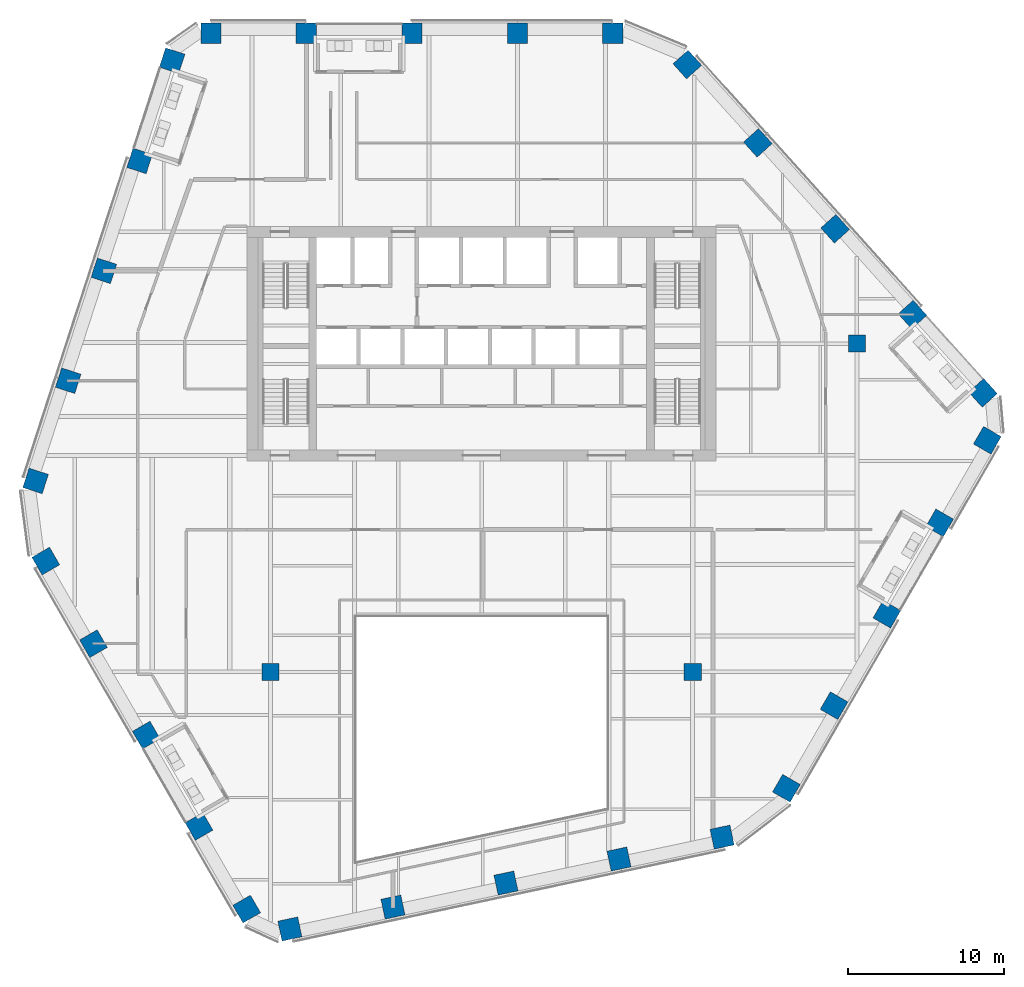
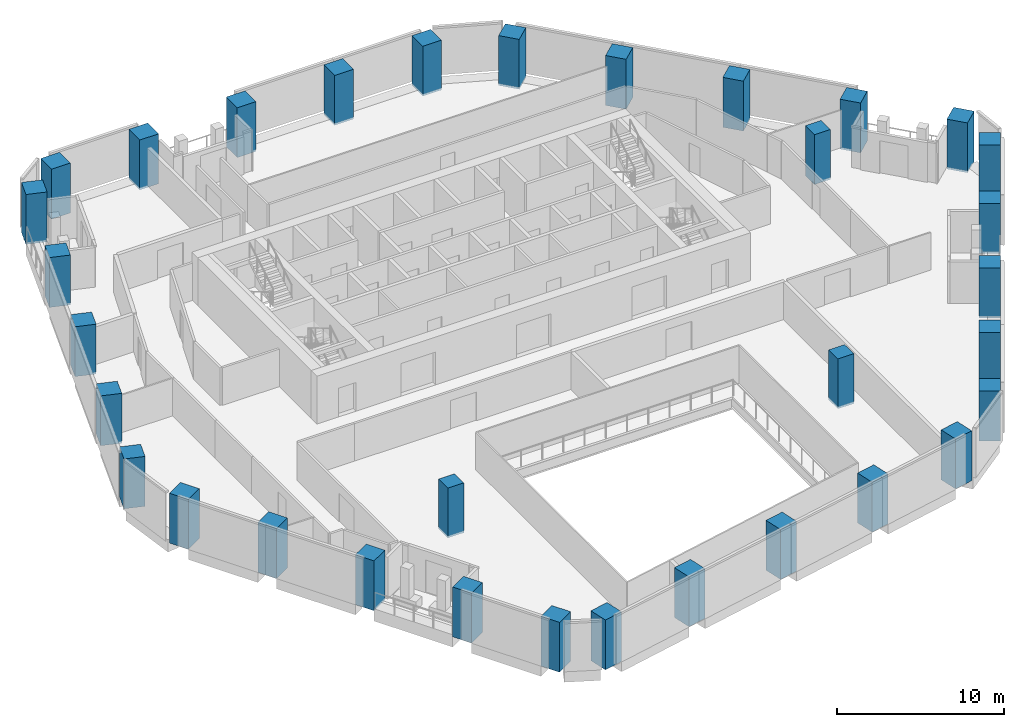
# One storey, part 1 of 26: 33 columns.
"""IFC4 building model written with IfcOpenShell, lengths in metres."""

from ifc_helpers import new_model, si_unit, direction, frame, origin, origin_2d, place, context, subcontext, project, spatial, rectangle, extrude, material, material_profile, profile_set, type_object, element, save


model = new_model("IFC4")

# Units and contexts
model_context = context("Model", 3, precision=1e-05, world=origin(), true_north=direction((0.0, 1.0)))
body_context = subcontext(model_context, "Body", "Model", "MODEL_VIEW")
ifc_project = project(units=[si_unit("LENGTHUNIT", "METRE"), si_unit("AREAUNIT", "SQUARE_METRE"), si_unit("VOLUMEUNIT", "CUBIC_METRE"), si_unit("PLANEANGLEUNIT", "RADIAN"), si_unit("MASSUNIT", "GRAM", prefix="KILO")], contexts=[model_context])

# Site, building, storey
site_placement = place(None, origin())
site = spatial("IfcSite", under=ifc_project, at=site_placement, CompositionType="ELEMENT")
building_placement = place(site_placement, origin())
building = spatial("IfcBuilding", under=site, at=building_placement, Name="Isthmus Gate Tower", CompositionType="ELEMENT")
storey_placement = place(building_placement, frame((0.0, 0.0, 189.050048828125)))
storey = spatial("IfcBuildingStorey", under=building, at=storey_placement, Name="L47", CompositionType="ELEMENT", Elevation=189.050048828125)

# Columns
ifc_material_1 = material(Name="Concrete f'c 60 MPa", Category="concrete")
ifc_material_profile_1 = material_profile(ifc_material_1, rectangle(XDim=1.10009765625, YDim=1.10009765625, at=origin_2d()), Name="RC 1100X1100")
ifc_profile_set_1 = profile_set([ifc_material_profile_1], Name="Concrete f'c 60 MPa")
column_type_1 = type_object("IfcColumnType", Name="RC INTERIOR COLUMN 1100 X 1100", PredefinedType="COLUMN", material=ifc_profile_set_1)
for number, where, z_axis, x_axis, name in (
    (1, (-13.5, -13.5, -0.150146484375), (0.0, 0.0, 1.0), (1.0, 0.0, 0.0), "str-icol-L47-ICB2"),
    (2, (13.5, -13.5, -0.150146484375), (0.0, 0.0, 1.0), (1.0, 0.0, 0.0), "str-icol-L47-ICD2"),
    (3, (24.0, 7.5, -0.150146484375), (0.0, 0.0, 1.0), (1.0, 0.0, 0.0), "str-icol-L47-ICE3"),
):
    element("IfcColumn", number, at=place(storey_placement, frame(where, z_axis=z_axis, x_axis=x_axis)), inside=storey, type_object=column_type_1, Name=name, PredefinedType="COLUMN", context=body_context, shape_type="SweptSolid", body=[
        extrude(rectangle(XDim=1.10009765625, YDim=1.10009765625, at=origin_2d()), origin(), (0.0, 0.0, 1.0), 3.650146484375),
    ])
ifc_material_2 = material(Name="Concrete f'c 60 MPa", Category="concrete")
ifc_material_profile_2 = material_profile(ifc_material_2, rectangle(XDim=1.300048828125, YDim=1.300048828125, at=origin_2d()), Name="RC 1300X1300")
ifc_profile_set_2 = profile_set([ifc_material_profile_2], Name="Concrete f'c 60 MPa")
column_type_2 = type_object("IfcColumnType", Name="RC TUBE COLUMN 1300 X 1300", PredefinedType="COLUMN", material=ifc_profile_set_2)
for number, where, z_axis, x_axis, name in (
    (4, (8.388671875, 27.35009765625, -0.150146484375), (0.0, 0.0, 1.0), (-1.0, 0.0, 0.0), "str-tcol-L47-T2N0"),
    (5, (2.288330078125, 27.35009765625, -0.150146484375), (0.0, 0.0, 1.0), (-1.0, 0.0, 0.0), "str-tcol-L47-T2N1"),
    (6, (-4.461669921875, 27.35009765625, -0.150146484375), (0.0, 0.0, 1.0), (-1.0, 0.0, 0.0), "str-tcol-L47-T2N2"),
    (7, (-11.2119140625, 27.35009765625, -0.150146484375), (0.0, 0.0, 1.0), (-1.0, 0.0, 0.0), "str-tcol-L47-T2N3"),
    (8, (-17.31201171875, 27.35009765625, -0.150146484375), (0.0, 0.0, 1.0), (-1.0, 0.0, 0.0), "str-tcol-L47-T2N4"),
    (9, (-19.797607421875, 25.595947265625, -0.150146484375), (0.0, 0.0, 1.0), (-0.309016994375, -0.951056516295, 0.0), "str-tcol-L47-T2NW0"),
    (10, (-21.880615234375, 19.18505859375, -0.150146484375), (0.0, 0.0, 1.0), (-0.309016994375, -0.951056516295, 0.0), "str-tcol-L47-T2NW1"),
    (11, (-24.164306640625, 12.156005859375, -0.150146484375), (0.0, 0.0, 1.0), (-0.309016994375, -0.951056516295, 0.0), "str-tcol-L47-T2NW2"),
    (12, (-26.4482421875, 5.126953125, -0.150146484375), (0.0, 0.0, 1.0), (-0.309016994375, -0.951056516295, 0.0), "str-tcol-L47-T2NW3"),
    (13, (-28.53125, -1.283935546875, -0.150146484375), (0.0, 0.0, 1.0), (-0.309016994375, -0.951056516295, 0.0), "str-tcol-L47-T2NW4"),
    (14, (-27.880126953125, -6.410400390625, -0.150146484375), (0.0, 0.0, 1.0), (0.5, -0.866025403784, 0.0), "str-tcol-L47-T2SW0"),
    (15, (-24.830078125, -11.693115234375, -0.150146484375), (0.0, 0.0, 1.0), (0.5, -0.866025403784, 0.0), "str-tcol-L47-T2SW1"),
    (16, (-21.454833984375, -17.5390625, -0.150146484375), (0.0, 0.0, 1.0), (0.5, -0.866025403784, 0.0), "str-tcol-L47-T2SW2"),
    (17, (-18.079833984375, -23.384765625, -0.150146484375), (0.0, 0.0, 1.0), (0.5, -0.866025403784, 0.0), "str-tcol-L47-T2SW3"),
    (18, (-15.02978515625, -28.667724609375, -0.150146484375), (0.0, 0.0, 1.0), (0.5, -0.866025403784, 0.0), "str-tcol-L47-T2SW4"),
    (19, (-12.267822265625, -29.943115234375, -0.150146484375), (0.0, 0.0, 1.0), (0.978147600734, 0.207911690818, 0.0), "str-tcol-L47-T2S0"),
    (20, (-5.674560546875, -28.54150390625, -0.150146484375), (0.0, 0.0, 1.0), (0.978147600734, 0.207911690818, 0.0), "str-tcol-L47-T2S1"),
    (21, (1.554931640625, -27.0048828125, -0.150146484375), (0.0, 0.0, 1.0), (0.978147600734, 0.207911690818, 0.0), "str-tcol-L47-T2S2"),
    (22, (8.7841796875, -25.46826171875, -0.150146484375), (0.0, 0.0, 1.0), (0.978147600734, 0.207911690818, 0.0), "str-tcol-L47-T2S3"),
    (23, (15.377685546875, -24.06689453125, -0.150146484375), (0.0, 0.0, 1.0), (0.978147600734, 0.207911690818, 0.0), "str-tcol-L47-T2S4"),
    (24, (19.491455078125, -20.939697265625, -0.150146484375), (0.0, 0.0, 1.0), (0.5, 0.866025403784, 0.0), "str-tcol-L47-T2SE0"),
    (25, (22.54150390625, -15.65673828125, -0.150146484375), (0.0, 0.0, 1.0), (0.5, 0.866025403784, 0.0), "str-tcol-L47-T2SE1"),
    (26, (25.916748046875, -9.81103515625, -0.150146484375), (0.0, 0.0, 1.0), (0.5, 0.866025403784, 0.0), "str-tcol-L47-T2SE2"),
    (27, (29.291748046875, -3.96533203125, -0.150146484375), (0.0, 0.0, 1.0), (0.5, 0.866025403784, 0.0), "str-tcol-L47-T2SE3"),
    (28, (32.341796875, 1.317626953125, -0.150146484375), (0.0, 0.0, 1.0), (0.5, 0.866025403784, 0.0), "str-tcol-L47-T2SE4"),
    (29, (32.0654296875, 4.34716796875, -0.150146484375), (0.0, 0.0, 1.0), (-0.669130606359, 0.743144825477, 0.0), "str-tcol-L47-T2NE0"),
    (30, (27.554931640625, 9.356689453125, -0.150146484375), (0.0, 0.0, 1.0), (-0.669130606359, 0.743144825477, 0.0), "str-tcol-L47-T2NE1"),
    (31, (22.609619140625, 14.84912109375, -0.150146484375), (0.0, 0.0, 1.0), (-0.669130606359, 0.743144825477, 0.0), "str-tcol-L47-T2NE2"),
    (32, (17.6640625, 20.341552734375, -0.150146484375), (0.0, 0.0, 1.0), (-0.669130606359, 0.743144825477, 0.0), "str-tcol-L47-T2NE3"),
    (33, (13.15380859375, 25.350830078125, -0.150146484375), (0.0, 0.0, 1.0), (-0.669130606359, 0.743144825477, 0.0), "str-tcol-L47-T2NE4"),
):
    element("IfcColumn", number, at=place(storey_placement, frame(where, z_axis=z_axis, x_axis=x_axis)), inside=storey, type_object=column_type_2, Name=name, PredefinedType="COLUMN", context=body_context, shape_type="SweptSolid", body=[
        extrude(rectangle(XDim=1.300048828125, YDim=1.300048828125, at=origin_2d()), origin(), (0.0, 0.0, 1.0), 3.650146484375),
    ])

save(model, "model.ifc")
